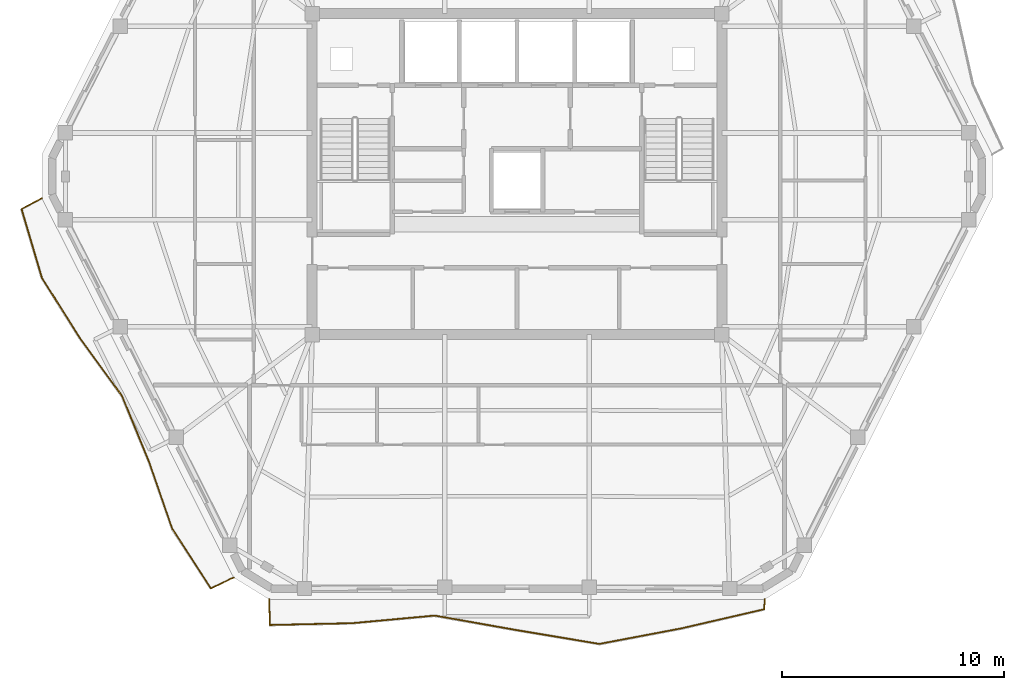
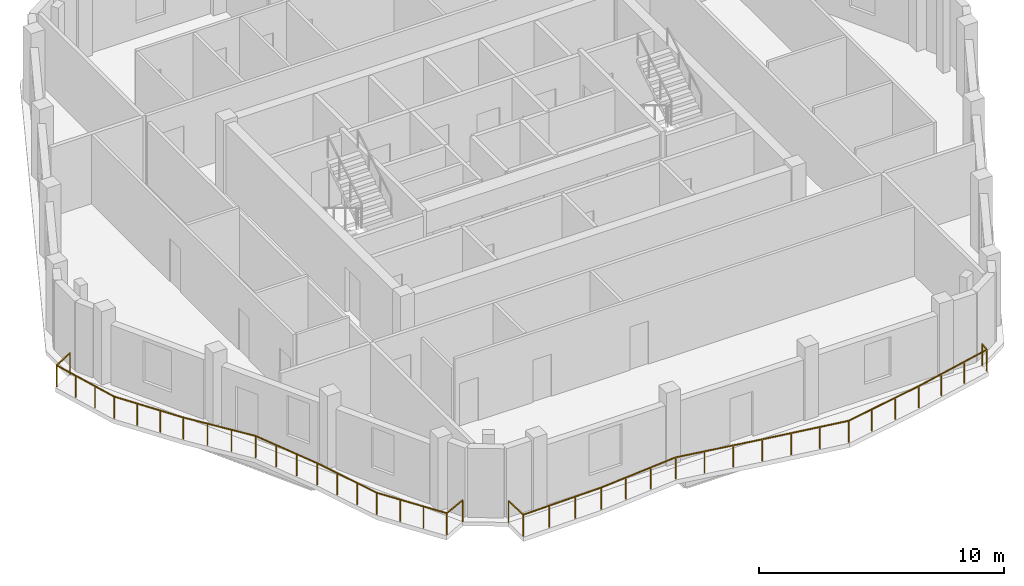
# One storey, part 8 of 10: 2 railings.
"""IFC4 building model written with IfcOpenShell, lengths in metres."""

import ifcopenshell
import ifcopenshell.guid

model = None  # the IFC model being written
_history = None  # IfcOwnerHistory: only IFC2X3 demands one
_inside = {}  # id of a spatial element -> (the spatial element, [elements in it])
_under = {}  # id of a project, library or spatial element -> (it, [spatial elements below it])
_declared = {}  # id of a project -> (the project, [libraries it declares])
_typed = {}  # id of a type object -> (the type object, [elements of that type])
_made_of = {}  # id of a material, layer set ... -> (it, [elements and type objects made of it])


def new_model(schema):
    """Start an empty IFC model of exactly this schema.

    Asked for "IFC4X3", IfcOpenShell would pick the latest addendum, in which some entities
    have other attributes; the version numbers below select the first issue.
    IFC2X3 requires an IfcOwnerHistory on every rooted entity: one is made here for all.
    """
    global model, _history
    if schema == "IFC4X3":
        model = ifcopenshell.file(schema_version=(4, 3, 0, 0))
    else:
        model = ifcopenshell.file(schema=schema)
    _inside.clear()
    _under.clear()
    _declared.clear()
    _typed.clear()
    _made_of.clear()
    _history = None
    if model.schema == "IFC2X3":
        org = make("IfcOrganization", Name="unknown")
        user = make(
            "IfcPersonAndOrganization",
            ThePerson=make("IfcPerson", FamilyName="unknown"),
            TheOrganization=org,
        )
        app = make(
            "IfcApplication",
            ApplicationDeveloper=org,
            Version="unknown",
            ApplicationFullName="unknown",
            ApplicationIdentifier="unknown",
        )
        _history = make(
            "IfcOwnerHistory",
            OwningUser=user,
            OwningApplication=app,
            ChangeAction="ADDED",
            CreationDate=0,
        )
    return model


def make(cls, **values):
    """One entity of the class cls with the attributes given. An attribute that is None is left unset."""
    return model.create_entity(
        cls, **{name: value for name, value in values.items() if value is not None}
    )


def rooted(cls, **values):
    """An entity with a GlobalId (a new one), such as an element, a storey or a relation."""
    return make(cls, GlobalId=ifcopenshell.guid.new(), OwnerHistory=_history, **values)


def si_unit(unit_type, name, prefix=None):
    """IfcSIUnit, for example si_unit("LENGTHUNIT", "METRE", prefix="MILLI")."""
    return make("IfcSIUnit", UnitType=unit_type, Prefix=prefix, Name=name)


def assignment(units):
    """IfcUnitAssignment: the units of a project."""
    return None if units is None else make("IfcUnitAssignment", Units=units)


def point(xyz):
    """IfcCartesianPoint."""
    return None if xyz is None else make("IfcCartesianPoint", Coordinates=xyz)


def direction(xyz):
    """IfcDirection."""
    return None if xyz is None else make("IfcDirection", DirectionRatios=xyz)


def frame(location, z_axis=None, x_axis=None):
    """IfcAxis2Placement3D, a coordinate frame: its origin and axes. An axis left out is left unset."""
    return make(
        "IfcAxis2Placement3D",
        Location=point(location),
        Axis=direction(z_axis),
        RefDirection=direction(x_axis),
    )


def frame_2d(location, x_axis=None):
    """IfcAxis2Placement2D, a coordinate frame in the plane: its origin and x axis."""
    return make(
        "IfcAxis2Placement2D", Location=point(location), RefDirection=direction(x_axis)
    )


def origin():
    """The frame at (0, 0, 0) with its axes left unset."""
    return frame((0.0, 0.0, 0.0))


def origin_2d():
    """The frame at (0, 0) in the plane with its x axis left unset."""
    return frame_2d((0.0, 0.0))


def place(relative_to, where):
    """IfcLocalPlacement: puts the frame where relative to a parent placement (None: the world)."""
    return make(
        "IfcLocalPlacement", PlacementRelTo=relative_to, RelativePlacement=where
    )


def context(
    kind, dimensions, precision=None, world=None, true_north=None, identifier=None
):
    """IfcGeometricRepresentationContext, for example the 3D "Model" context."""
    return make(
        "IfcGeometricRepresentationContext",
        ContextIdentifier=identifier,
        ContextType=kind,
        CoordinateSpaceDimension=dimensions,
        Precision=precision,
        WorldCoordinateSystem=world,
        TrueNorth=true_north,
    )


def subcontext(parent, identifier, kind, view, scale=None):
    """IfcGeometricRepresentationSubContext, for example "Body" below "Model"."""
    return make(
        "IfcGeometricRepresentationSubContext",
        ContextIdentifier=identifier,
        ContextType=kind,
        ParentContext=parent,
        TargetScale=scale,
        TargetView=view,
    )


def project(units=None, contexts=None):
    """IfcProject with its units and contexts."""
    return rooted(
        "IfcProject",
        Name="project",
        RepresentationContexts=contexts,
        UnitsInContext=assignment(units),
    )


def spatial(cls, under=None, at=None, **own):
    """A site, building, storey or space (cls), placed at a placement, below another one or the project."""
    s = rooted(cls, ObjectPlacement=at, **own)
    if under is not None:
        _under.setdefault(under.id(), (under, []))[1].append(s)
    return s


def profile(cls, at=None, kind="AREA", **sizes):
    """A parametric profile (cls). Its sizes go by their IFC names, for example OverallWidth=200.0."""
    return make(cls, ProfileType=kind, Position=at, **sizes)


def rectangle(**sizes):
    """IfcRectangleProfileDef."""
    return profile("IfcRectangleProfileDef", **sizes)


def extrude(swept, where, along, depth):
    """IfcExtrudedAreaSolid: the profile swept, set in the frame where, extruded along a direction by depth."""
    return make(
        "IfcExtrudedAreaSolid",
        SweptArea=swept,
        Position=where,
        ExtrudedDirection=direction(along),
        Depth=depth,
    )


def shape(context_of_items, identifier, shape_type, items):
    """IfcShapeRepresentation: the items that make up one representation, for example the "Body"."""
    return make(
        "IfcShapeRepresentation",
        ContextOfItems=context_of_items,
        RepresentationIdentifier=identifier,
        RepresentationType=shape_type,
        Items=items,
    )


def material(Name=None, Category=None):
    """IfcMaterial."""
    return make("IfcMaterial", Name=Name, Category=Category)


def made_of(thing, what):
    """Note that an element or type object is made of a material, layer set ...; save() writes the relation."""
    if what is not None:
        _made_of.setdefault(what.id(), (what, []))[1].append(thing)
    return thing


def type_object(cls, material=None, **own):
    """A type object (cls), such as IfcWallType, which elements share."""
    return made_of(rooted(cls, **own), material)


def element(
    cls,
    number,
    at=None,
    inside=None,
    cuts=None,
    type_object=None,
    material=None,
    context=None,
    identifier="Body",
    shape_type=None,
    held_by="IfcProductDefinitionShape",
    body=None,
    shapes=None,
    **own,
):
    """One element of the class cls, such as IfcWall. Its Tag is "e" and its number.

    at: its placement. inside: the storey or other place that contains it. cuts: it is an
    opening in that element (IfcRelVoidsElement). A single representation is given by context,
    identifier, shape_type and body (its items); several are given by shapes. held_by: the class
    of the entity that holds the representations. save() writes the other relations.
    """
    e = rooted(cls, Tag="e%d" % number, ObjectPlacement=at, **own)
    if body is not None:
        shapes = [shape(context, identifier, shape_type, body)]
    if shapes is not None:
        e.Representation = make(held_by, Representations=shapes)
    if inside is not None:
        _inside.setdefault(inside.id(), (inside, []))[1].append(e)
    if cuts is not None:
        rooted(
            "IfcRelVoidsElement", RelatingBuildingElement=cuts, RelatedOpeningElement=e
        )
    if type_object is not None:
        _typed.setdefault(type_object.id(), (type_object, []))[1].append(e)
    return made_of(e, material)


def aggregate(whole, parts):
    """IfcRelAggregates: a whole, such as a stair, and the parts it consists of."""
    return rooted("IfcRelAggregates", RelatingObject=whole, RelatedObjects=parts)


def save(model, path):
    """Write the relations noted so far, then the file.

    IfcRelAggregates (storeys below a building ...), IfcRelContainedInSpatialStructure (elements
    in a storey), IfcRelDefinesByType, IfcRelAssociatesMaterial and IfcRelDeclares: one each for
    every whole, place, type object, material and project.
    """
    for whole, parts in _under.values():
        aggregate(whole, parts)
    for where, things in _inside.values():
        rooted(
            "IfcRelContainedInSpatialStructure",
            RelatedElements=things,
            RelatingStructure=where,
        )
    for kind, things in _typed.values():
        rooted("IfcRelDefinesByType", RelatedObjects=things, RelatingType=kind)
    for what, things in _made_of.values():
        rooted("IfcRelAssociatesMaterial", RelatedObjects=things, RelatingMaterial=what)
    for by, libraries in _declared.values():
        rooted("IfcRelDeclares", RelatingContext=by, RelatedDefinitions=libraries)
    model.write(path)


model = new_model("IFC4")

# Units and contexts
model_context = context("Model", 3, precision=1e-05, world=origin(), true_north=direction((0.0, 1.0)))
body_context = subcontext(model_context, "Body", "Model", "MODEL_VIEW")
ifc_project = project(units=[si_unit("LENGTHUNIT", "METRE"), si_unit("AREAUNIT", "SQUARE_METRE"), si_unit("VOLUMEUNIT", "CUBIC_METRE"), si_unit("PLANEANGLEUNIT", "RADIAN"), si_unit("MASSUNIT", "GRAM", prefix="KILO")], contexts=[model_context])

# Site, building, storey
site_placement = place(None, origin())
site = spatial("IfcSite", under=ifc_project, at=site_placement, CompositionType="ELEMENT")
building_placement = place(site_placement, origin())
building = spatial("IfcBuilding", under=site, at=building_placement, Name="Cinnabar Lancet Tower", CompositionType="ELEMENT")
storey_placement = place(building_placement, frame((0.0, 0.0, 267.14990234375)))
storey = spatial("IfcBuildingStorey", under=building, at=storey_placement, Name="L71", CompositionType="ELEMENT", Elevation=267.14990234375)

# Railings
ifc_material = material(Name="Laminated safety glass and bronze stainless steel balustrade", Category="steel")
railing_type = type_object("IfcRailingType", Name="ENV-RLG-BAL-1100", PredefinedType="BALUSTRADE", material=ifc_material)
railing_1_placement = place(storey_placement, frame((21.236083984375, 6.75, 0.0)))
element("IfcRailing", 1, at=railing_1_placement, inside=storey, type_object=railing_type, Name="L71 Face 1 Wave Balcony Balustrade", PredefinedType="BALUSTRADE", context=body_context, shape_type="SweptSolid", body=[
    extrude(rectangle(XDim=0.048095703125, YDim=0.048095703125, at=origin_2d()), frame((0.0, 0.0, 1.076171875), z_axis=(0.029343219833, -0.999569395015, 0.0), x_axis=(0.999569395015, 0.029343219833, 0.0)), (0.0, 0.0, 1.0), 1.156494140625),
    extrude(rectangle(XDim=0.048095703125, YDim=0.048095703125, at=origin_2d()), frame((0.033935546875, -1.156005859375, 1.076171875), z_axis=(0.999749920711, 0.022362827174, 0.0), x_axis=(-0.022362827174, 0.999749920711, 0.0)), (0.0, 0.0, 1.0), 3.7119140625),
    extrude(rectangle(XDim=0.048095703125, YDim=0.048095703125, at=origin_2d()), frame((3.744873046875, -1.072998046875, 1.076171875), z_axis=(0.995755140402, 0.092041840281, 0.0), x_axis=(-0.092041840281, 0.995755140402, 0.0)), (0.0, 0.0, 1.0), 3.726806640625),
    extrude(rectangle(XDim=0.048095703125, YDim=0.048095703125, at=origin_2d()), frame((7.455810546875, -0.72998046875, 1.076171875), z_axis=(0.984663887969, -0.174462109726, 0.0), x_axis=(0.174462109726, 0.984663887969, 0.0)), (0.0, 0.0, 1.0), 3.765869140625),
    extrude(rectangle(XDim=0.048095703125, YDim=0.048095703125, at=origin_2d()), frame((11.163818359375, -1.386962890625, 1.076171875), z_axis=(0.986309570006, -0.164904311994, 0.0), x_axis=(0.164904311994, 0.986309570006, 0.0)), (0.0, 0.0, 1.0), 3.760498046875),
    extrude(rectangle(XDim=0.048095703125, YDim=0.048095703125, at=origin_2d()), frame((14.872802734375, -2.007080078125, 1.076171875), z_axis=(0.982465091942, 0.186446622699, 0.0), x_axis=(-0.186446622699, 0.982465091942, 0.0)), (0.0, 0.0, 1.0), 3.7763671875),
    extrude(rectangle(XDim=0.048095703125, YDim=0.048095703125, at=origin_2d()), frame((18.5830078125, -1.302978515625, 1.076171875), z_axis=(0.974233199214, 0.225543063624, 0.0), x_axis=(-0.225543063624, 0.974233199214, 0.0)), (0.0, 0.0, 1.0), 3.80810546875),
    extrude(rectangle(XDim=0.048095703125, YDim=0.048095703125, at=origin_2d()), frame((22.29296875, -0.444091796875, 1.076171875), z_axis=(0.078372814309, 0.996924120471, 0.0), x_axis=(-0.996924120471, 0.078372814309, 0.0)), (0.0, 0.0, 1.0), 0.445556640625),
    extrude(rectangle(XDim=0.0419921875, YDim=0.0419921875, at=origin_2d()), origin(), (0.0, 0.0, 1.0), 1.052001953125),
    extrude(rectangle(XDim=0.0419921875, YDim=0.0419921875, at=origin_2d()), frame((0.033935546875, -1.156005859375, 0.0)), (0.0, 0.0, 1.0), 1.052001953125),
    extrude(rectangle(XDim=0.0419921875, YDim=0.0419921875, at=origin_2d()), frame((1.27099609375, -1.12841796875, 0.0)), (0.0, 0.0, 1.0), 1.052001953125),
    extrude(rectangle(XDim=0.0419921875, YDim=0.0419921875, at=origin_2d()), frame((2.5078125, -1.1005859375, 0.0)), (0.0, 0.0, 1.0), 1.052001953125),
    extrude(rectangle(XDim=0.0419921875, YDim=0.0419921875, at=origin_2d()), frame((3.744873046875, -1.072998046875, 0.0)), (0.0, 0.0, 1.0), 1.052001953125),
    extrude(rectangle(XDim=0.0419921875, YDim=0.0419921875, at=origin_2d()), frame((4.98193359375, -0.958740234375, 0.0)), (0.0, 0.0, 1.0), 1.052001953125),
    extrude(rectangle(XDim=0.0419921875, YDim=0.0419921875, at=origin_2d()), frame((6.21875, -0.84423828125, 0.0)), (0.0, 0.0, 1.0), 1.052001953125),
    extrude(rectangle(XDim=0.0419921875, YDim=0.0419921875, at=origin_2d()), frame((7.455810546875, -0.72998046875, 0.0)), (0.0, 0.0, 1.0), 1.052001953125),
    extrude(rectangle(XDim=0.0419921875, YDim=0.0419921875, at=origin_2d()), frame((8.69189453125, -0.948974609375, 0.0)), (0.0, 0.0, 1.0), 1.052001953125),
    extrude(rectangle(XDim=0.0419921875, YDim=0.0419921875, at=origin_2d()), frame((9.927734375, -1.16796875, 0.0)), (0.0, 0.0, 1.0), 1.052001953125),
    extrude(rectangle(XDim=0.0419921875, YDim=0.0419921875, at=origin_2d()), frame((11.163818359375, -1.386962890625, 0.0)), (0.0, 0.0, 1.0), 1.052001953125),
    extrude(rectangle(XDim=0.0419921875, YDim=0.0419921875, at=origin_2d()), frame((12.400146484375, -1.59375, 0.0)), (0.0, 0.0, 1.0), 1.052001953125),
    extrude(rectangle(XDim=0.0419921875, YDim=0.0419921875, at=origin_2d()), frame((13.636474609375, -1.80029296875, 0.0)), (0.0, 0.0, 1.0), 1.052001953125),
    extrude(rectangle(XDim=0.0419921875, YDim=0.0419921875, at=origin_2d()), frame((14.872802734375, -2.007080078125, 0.0)), (0.0, 0.0, 1.0), 1.052001953125),
    extrude(rectangle(XDim=0.0419921875, YDim=0.0419921875, at=origin_2d()), frame((16.109619140625, -1.7724609375, 0.0)), (0.0, 0.0, 1.0), 1.052001953125),
    extrude(rectangle(XDim=0.0419921875, YDim=0.0419921875, at=origin_2d()), frame((17.34619140625, -1.53759765625, 0.0)), (0.0, 0.0, 1.0), 1.052001953125),
    extrude(rectangle(XDim=0.0419921875, YDim=0.0419921875, at=origin_2d()), frame((18.5830078125, -1.302978515625, 0.0)), (0.0, 0.0, 1.0), 1.052001953125),
    extrude(rectangle(XDim=0.0419921875, YDim=0.0419921875, at=origin_2d()), frame((19.819580078125, -1.0166015625, 0.0)), (0.0, 0.0, 1.0), 1.052001953125),
    extrude(rectangle(XDim=0.0419921875, YDim=0.0419921875, at=origin_2d()), frame((21.056396484375, -0.73046875, 0.0)), (0.0, 0.0, 1.0), 1.052001953125),
    extrude(rectangle(XDim=0.0419921875, YDim=0.0419921875, at=origin_2d()), frame((22.29296875, -0.444091796875, 0.0)), (0.0, 0.0, 1.0), 1.052001953125),
    extrude(rectangle(XDim=0.0419921875, YDim=0.0419921875, at=origin_2d()), frame((22.327880859375, 0.0, 0.0)), (0.0, 0.0, 1.0), 1.052001953125),
])
railing_2_placement = place(storey_placement, frame((10.9970703125, 24.818115234375, 0.0)))
element("IfcRailing", 2, at=railing_2_placement, inside=storey, type_object=railing_type, Name="L71 Face 6 Wave Balcony Balustrade", PredefinedType="BALUSTRADE", context=body_context, shape_type="SweptSolid", body=[
    extrude(rectangle(XDim=0.048095703125, YDim=0.048095703125, at=origin_2d()), frame((0.0, 0.0, 1.076171875), z_axis=(-0.88022863357, -0.474549842107, 0.0), x_axis=(0.474549842107, -0.88022863357, 0.0)), (0.0, 0.0, 1.0), 1.03515625),
    extrude(rectangle(XDim=0.048095703125, YDim=0.048095703125, at=origin_2d()), frame((-0.9111328125, -0.4912109375, 1.076171875), z_axis=(0.284222017884, -0.958758491253, 0.0), x_axis=(0.958758491253, 0.284222017884, 0.0)), (0.0, 0.0, 1.0), 3.233154296875),
    extrude(rectangle(XDim=0.048095703125, YDim=0.048095703125, at=origin_2d()), frame((0.0078125, -3.591064453125, 1.076171875), z_axis=(0.533372204144, -0.845880660523, 0.0), x_axis=(0.845880660523, 0.533372204144, 0.0)), (0.0, 0.0, 1.0), 3.19677734375),
    extrude(rectangle(XDim=0.048095703125, YDim=0.048095703125, at=origin_2d()), frame((1.712890625, -6.295166015625, 1.076171875), z_axis=(0.58846902378, -0.80851976355, 0.0), x_axis=(0.80851976355, 0.58846902378, 0.0)), (0.0, 0.0, 1.0), 3.221923828125),
    extrude(rectangle(XDim=0.048095703125, YDim=0.048095703125, at=origin_2d()), frame((3.60888671875, -8.900146484375, 1.076171875), z_axis=(0.380226331476, -0.924893473245, 0.0), x_axis=(0.924893473245, 0.380226331476, 0.0)), (0.0, 0.0, 1.0), 3.190673828125),
    extrude(rectangle(XDim=0.048095703125, YDim=0.048095703125, at=origin_2d()), frame((4.822021484375, -11.85107421875, 1.076171875), z_axis=(0.327609277078, -0.944813294557, 0.0), x_axis=(0.944813294557, 0.327609277078, 0.0)), (0.0, 0.0, 1.0), 3.211181640625),
    extrude(rectangle(XDim=0.048095703125, YDim=0.048095703125, at=origin_2d()), frame((5.8740234375, -14.885009765625, 1.076171875), z_axis=(0.544468184401, -0.838781494893, 0.0), x_axis=(0.838781494893, 0.544468184401, 0.0)), (0.0, 0.0, 1.0), 3.201171875),
    extrude(rectangle(XDim=0.048095703125, YDim=0.048095703125, at=origin_2d()), frame((7.616943359375, -17.570068359375, 1.076171875), z_axis=(0.904280989264, 0.426937808652, 0.0), x_axis=(-0.426937808652, 0.904280989264, 0.0)), (0.0, 0.0, 1.0), 1.13330078125),
    extrude(rectangle(XDim=0.0419921875, YDim=0.0419921875, at=origin_2d()), origin(), (0.0, 0.0, 1.0), 1.052001953125),
    extrude(rectangle(XDim=0.0419921875, YDim=0.0419921875, at=origin_2d()), frame((-0.9111328125, -0.4912109375, 0.0)), (0.0, 0.0, 1.0), 1.052001953125),
    extrude(rectangle(XDim=0.0419921875, YDim=0.0419921875, at=origin_2d()), frame((-0.604736328125, -1.5244140625, 0.0)), (0.0, 0.0, 1.0), 1.052001953125),
    extrude(rectangle(XDim=0.0419921875, YDim=0.0419921875, at=origin_2d()), frame((-0.298583984375, -2.557861328125, 0.0)), (0.0, 0.0, 1.0), 1.052001953125),
    extrude(rectangle(XDim=0.0419921875, YDim=0.0419921875, at=origin_2d()), frame((0.0078125, -3.591064453125, 0.0)), (0.0, 0.0, 1.0), 1.052001953125),
    extrude(rectangle(XDim=0.0419921875, YDim=0.0419921875, at=origin_2d()), frame((0.576171875, -4.492431640625, 0.0)), (0.0, 0.0, 1.0), 1.052001953125),
    extrude(rectangle(XDim=0.0419921875, YDim=0.0419921875, at=origin_2d()), frame((1.14453125, -5.393798828125, 0.0)), (0.0, 0.0, 1.0), 1.052001953125),
    extrude(rectangle(XDim=0.0419921875, YDim=0.0419921875, at=origin_2d()), frame((1.712890625, -6.295166015625, 0.0)), (0.0, 0.0, 1.0), 1.052001953125),
    extrude(rectangle(XDim=0.0419921875, YDim=0.0419921875, at=origin_2d()), frame((2.344970703125, -7.16357421875, 0.0)), (0.0, 0.0, 1.0), 1.052001953125),
    extrude(rectangle(XDim=0.0419921875, YDim=0.0419921875, at=origin_2d()), frame((2.976806640625, -8.03173828125, 0.0)), (0.0, 0.0, 1.0), 1.052001953125),
    extrude(rectangle(XDim=0.0419921875, YDim=0.0419921875, at=origin_2d()), frame((3.60888671875, -8.900146484375, 0.0)), (0.0, 0.0, 1.0), 1.052001953125),
    extrude(rectangle(XDim=0.0419921875, YDim=0.0419921875, at=origin_2d()), frame((4.01318359375, -9.8837890625, 0.0)), (0.0, 0.0, 1.0), 1.052001953125),
    extrude(rectangle(XDim=0.0419921875, YDim=0.0419921875, at=origin_2d()), frame((4.417724609375, -10.867431640625, 0.0)), (0.0, 0.0, 1.0), 1.052001953125),
    extrude(rectangle(XDim=0.0419921875, YDim=0.0419921875, at=origin_2d()), frame((4.822021484375, -11.85107421875, 0.0)), (0.0, 0.0, 1.0), 1.052001953125),
    extrude(rectangle(XDim=0.0419921875, YDim=0.0419921875, at=origin_2d()), frame((5.172607421875, -12.8623046875, 0.0)), (0.0, 0.0, 1.0), 1.052001953125),
    extrude(rectangle(XDim=0.0419921875, YDim=0.0419921875, at=origin_2d()), frame((5.5234375, -13.873779296875, 0.0)), (0.0, 0.0, 1.0), 1.052001953125),
    extrude(rectangle(XDim=0.0419921875, YDim=0.0419921875, at=origin_2d()), frame((5.8740234375, -14.885009765625, 0.0)), (0.0, 0.0, 1.0), 1.052001953125),
    extrude(rectangle(XDim=0.0419921875, YDim=0.0419921875, at=origin_2d()), frame((6.455078125, -15.780029296875, 0.0)), (0.0, 0.0, 1.0), 1.052001953125),
    extrude(rectangle(XDim=0.0419921875, YDim=0.0419921875, at=origin_2d()), frame((7.035888671875, -16.675048828125, 0.0)), (0.0, 0.0, 1.0), 1.052001953125),
    extrude(rectangle(XDim=0.0419921875, YDim=0.0419921875, at=origin_2d()), frame((7.616943359375, -17.570068359375, 0.0)), (0.0, 0.0, 1.0), 1.052001953125),
    extrude(rectangle(XDim=0.0419921875, YDim=0.0419921875, at=origin_2d()), frame((8.641845703125, -17.086181640625, 0.0)), (0.0, 0.0, 1.0), 1.052001953125),
])

save(model, "model.ifc")
